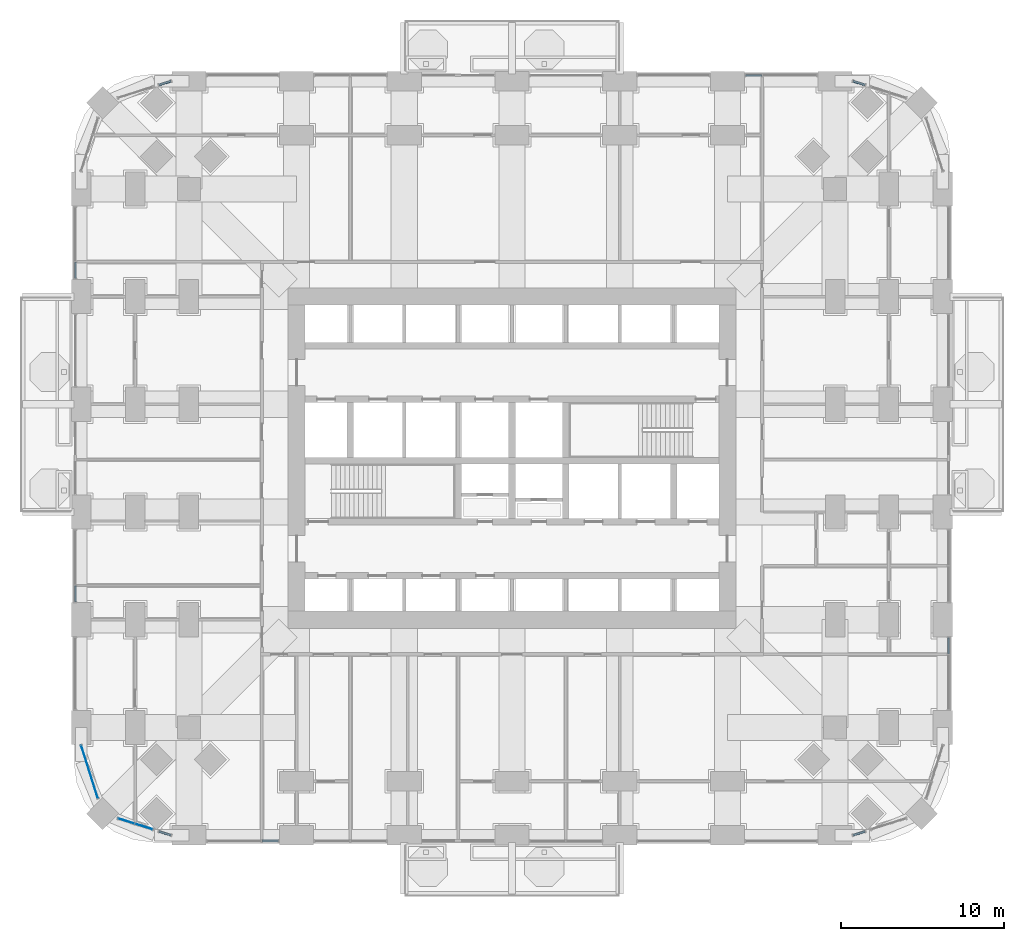
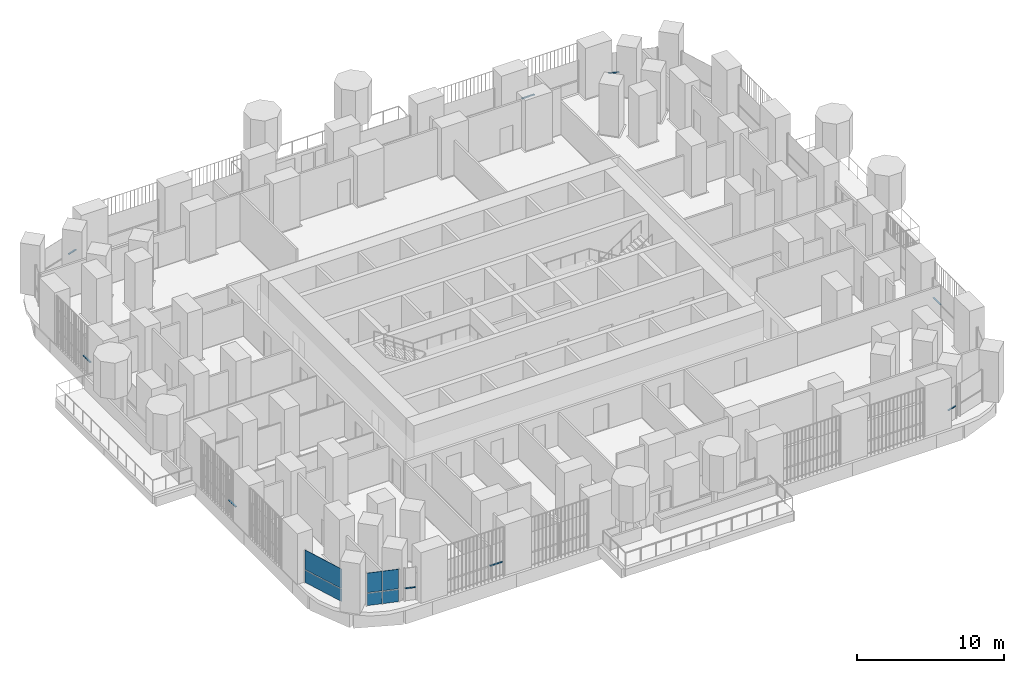
# One storey, part 10 of 26: 9 members, 6 plates, 11 elements without a shape of their own.
"""IFC4 building model written with IfcOpenShell, lengths in metres."""

from ifc_helpers import new_model, si_unit, direction, frame, origin, origin_2d, place, context, subcontext, project, spatial, rectangle, extrude, material, layer, layer_set, material_profile, profile_set, type_object, element, aggregate, save


model = new_model("IFC4")

# Units and contexts
model_context = context("Model", 3, precision=1e-05, world=origin(), true_north=direction((0.0, 1.0)))
body_context = subcontext(model_context, "Body", "Model", "MODEL_VIEW")
ifc_project = project(units=[si_unit("LENGTHUNIT", "METRE"), si_unit("AREAUNIT", "SQUARE_METRE"), si_unit("VOLUMEUNIT", "CUBIC_METRE"), si_unit("PLANEANGLEUNIT", "RADIAN"), si_unit("MASSUNIT", "GRAM", prefix="KILO")], contexts=[model_context])

# Site, building, storey
site_placement = place(None, origin())
site = spatial("IfcSite", under=ifc_project, at=site_placement, CompositionType="ELEMENT")
building_placement = place(site_placement, origin())
building = spatial("IfcBuilding", under=site, at=building_placement, Name="Cobogo Forest Laboratory Tower", CompositionType="ELEMENT")
storey_placement = place(building_placement, frame((0.0, 0.0, 59.10009765625)))
storey = spatial("IfcBuildingStorey", under=building, at=storey_placement, Name="L13", CompositionType="ELEMENT", Elevation=59.10009765625)

# Curtain wall, member
ifc_material_1 = material(Name="Aluminium curtain wall", Category="aluminium")
curtain_wall_type = type_object("IfcCurtainWallType", Name="CW-1 unitised curtain wall, clear glazing, laboratory floors zones A and B", PredefinedType="USERDEFINED", material=ifc_material_1)
curtain_wall_1_placement = place(storey_placement, origin())
curtain_wall_1 = element("IfcCurtainWall", 1, at=curtain_wall_1_placement, inside=storey, type_object=curtain_wall_type, Name="Curtain wall 01 L13", ObjectType="UNITISED CURTAIN WALL", PredefinedType="USERDEFINED")
ifc_material_2 = material(Name="Aluminium transom", Category="aluminium")
ifc_material_profile = material_profile(ifc_material_2, rectangle(XDim=0.1201171875, YDim=0.06005859375, at=origin_2d()), Name="AL 60x120")
ifc_profile_set = profile_set([ifc_material_profile], Name="Aluminium transom")
member_type = type_object("IfcMemberType", Name="TR-1 aluminium transom 60x120", PredefinedType="USERDEFINED", material=ifc_profile_set)
member_1_placement = place(storey_placement, frame((11.10498046875, -0.35009765625, 1.0498046875), z_axis=(1.0, 0.0, 0.0), x_axis=(0.0, 1.0, 0.0)))
member_1 = element("IfcMember", 2, at=member_1_placement, type_object=member_type, Name="CW-1 transom 2.1", ObjectType="TRANSOM", PredefinedType="USERDEFINED", context=body_context, shape_type="SweptSolid", body=[
    extrude(rectangle(XDim=0.1201171875, YDim=0.06005859375, at=origin_2d()), origin(), (0.0, 0.0, 1.0), 0.985107421875),
])
aggregate(curtain_wall_1, [member_1])

curtain_wall_2_placement = place(storey_placement, origin())
curtain_wall_2 = element("IfcCurtainWall", 3, at=curtain_wall_2_placement, inside=storey, type_object=curtain_wall_type, Name="Curtain wall 07 L13", ObjectType="UNITISED CURTAIN WALL", PredefinedType="USERDEFINED")
member_2_placement = place(storey_placement, frame((47.30712890625, -0.000244140625, 1.0498046875), z_axis=(0.95359247203, 0.301100311005, 0.0), x_axis=(-0.301100311005, 0.95359247203, 0.0)))
member_2 = element("IfcMember", 4, at=member_2_placement, type_object=member_type, Name="CW-1 transom 1.1", ObjectType="TRANSOM", PredefinedType="USERDEFINED", context=body_context, shape_type="SweptSolid", body=[
    extrude(rectangle(XDim=0.1201171875, YDim=0.06005859375, at=origin_2d()), origin(), (0.0, 0.0, 1.0), 0.75244140625),
])
aggregate(curtain_wall_2, [member_2])

curtain_wall_3_placement = place(storey_placement, origin())
curtain_wall_3 = element("IfcCurtainWall", 5, at=curtain_wall_3_placement, inside=storey, type_object=curtain_wall_type, Name="Curtain wall 10 L13", ObjectType="UNITISED CURTAIN WALL", PredefinedType="USERDEFINED")
member_3_placement = place(storey_placement, frame((53.14990234375, 11.10498046875, 1.0498046875), z_axis=(0.0, 1.0, 0.0), x_axis=(-1.0, 0.0, 0.0)))
member_3 = element("IfcMember", 6, at=member_3_placement, type_object=member_type, Name="CW-1 transom 2.1", ObjectType="TRANSOM", PredefinedType="USERDEFINED", context=body_context, shape_type="SweptSolid", body=[
    extrude(rectangle(XDim=0.1201171875, YDim=0.06005859375, at=origin_2d()), origin(), (0.0, 0.0, 1.0), 0.985107421875),
])
aggregate(curtain_wall_3, [member_3])

curtain_wall_4_placement = place(storey_placement, origin())
curtain_wall_4 = element("IfcCurtainWall", 7, at=curtain_wall_4_placement, inside=storey, type_object=curtain_wall_type, Name="Curtain wall 17 L13", ObjectType="UNITISED CURTAIN WALL", PredefinedType="USERDEFINED")
member_4_placement = place(storey_placement, frame((48.024658203125, 45.973876953125, 1.0498046875), z_axis=(-0.95359247203, 0.301100311005, 0.0), x_axis=(-0.301100311005, -0.95359247203, 0.0)))
member_4 = element("IfcMember", 8, at=member_4_placement, type_object=member_type, Name="CW-1 transom 1.1", ObjectType="TRANSOM", PredefinedType="USERDEFINED", context=body_context, shape_type="SweptSolid", body=[
    extrude(rectangle(XDim=0.1201171875, YDim=0.06005859375, at=origin_2d()), origin(), (0.0, 0.0, 1.0), 0.75244140625),
])
aggregate(curtain_wall_4, [member_4])

curtain_wall_5_placement = place(storey_placement, origin())
curtain_wall_5 = element("IfcCurtainWall", 9, at=curtain_wall_5_placement, inside=storey, type_object=curtain_wall_type, Name="Curtain wall 18 L13", ObjectType="UNITISED CURTAIN WALL", PredefinedType="USERDEFINED")
member_5_placement = place(storey_placement, frame((41.695068359375, 46.550048828125, 1.0498046875), z_axis=(-1.0, 0.0, 0.0), x_axis=(0.0, -1.0, 0.0)))
member_5 = element("IfcMember", 10, at=member_5_placement, type_object=member_type, Name="CW-1 transom 2.1", ObjectType="TRANSOM", PredefinedType="USERDEFINED", context=body_context, shape_type="SweptSolid", body=[
    extrude(rectangle(XDim=0.1201171875, YDim=0.06005859375, at=origin_2d()), origin(), (0.0, 0.0, 1.0), 0.985107421875),
])
aggregate(curtain_wall_5, [member_5])

curtain_wall_6_placement = place(storey_placement, origin())
curtain_wall_6 = element("IfcCurtainWall", 11, at=curtain_wall_6_placement, inside=storey, type_object=curtain_wall_type, Name="Curtain wall 24 L13", ObjectType="UNITISED CURTAIN WALL", PredefinedType="USERDEFINED")
member_6_placement = place(storey_placement, frame((5.49267578125, 46.200439453125, 1.0498046875), z_axis=(-0.953563042236, -0.301193500066, 0.0), x_axis=(0.301193500066, -0.953563042236, 0.0)))
member_6 = element("IfcMember", 12, at=member_6_placement, type_object=member_type, Name="CW-1 transom 1.1", ObjectType="TRANSOM", PredefinedType="USERDEFINED", context=body_context, shape_type="SweptSolid", body=[
    extrude(rectangle(XDim=0.1201171875, YDim=0.06005859375, at=origin_2d()), origin(), (0.0, 0.0, 1.0), 0.752197265625),
])
aggregate(curtain_wall_6, [member_6])

curtain_wall_7_placement = place(storey_placement, origin())
curtain_wall_7 = element("IfcCurtainWall", 13, at=curtain_wall_7_placement, inside=storey, type_object=curtain_wall_type, Name="Curtain wall 27 L13", ObjectType="UNITISED CURTAIN WALL", PredefinedType="USERDEFINED")
member_7_placement = place(storey_placement, frame((-0.35009765625, 35.094970703125, 1.0498046875), z_axis=(0.0, -1.0, 0.0), x_axis=(1.0, 0.0, 0.0)))
member_7 = element("IfcMember", 14, at=member_7_placement, type_object=member_type, Name="CW-1 transom 2.1", ObjectType="TRANSOM", PredefinedType="USERDEFINED", context=body_context, shape_type="SweptSolid", body=[
    extrude(rectangle(XDim=0.1201171875, YDim=0.06005859375, at=origin_2d()), origin(), (0.0, 0.0, 1.0), 0.98486328125),
])
aggregate(curtain_wall_7, [member_7])

curtain_wall_8_placement = place(storey_placement, origin())
curtain_wall_8 = element("IfcCurtainWall", 15, at=curtain_wall_8_placement, inside=storey, type_object=curtain_wall_type, Name="Curtain wall 30 L13", ObjectType="UNITISED CURTAIN WALL", PredefinedType="USERDEFINED")
member_8_placement = place(storey_placement, frame((-0.35009765625, 15.27001953125, 1.0498046875), z_axis=(0.0, -1.0, 0.0), x_axis=(1.0, 0.0, 0.0)))
member_8 = element("IfcMember", 16, at=member_8_placement, type_object=member_type, Name="CW-1 transom 2.1", ObjectType="TRANSOM", PredefinedType="USERDEFINED", context=body_context, shape_type="SweptSolid", body=[
    extrude(rectangle(XDim=0.1201171875, YDim=0.06005859375, at=origin_2d()), origin(), (0.0, 0.0, 1.0), 0.9599609375),
])
aggregate(curtain_wall_8, [member_8])

curtain_wall_9_placement = place(storey_placement, origin())
curtain_wall_9 = element("IfcCurtainWall", 17, at=curtain_wall_9_placement, inside=storey, type_object=curtain_wall_type, Name="Curtain wall 34 L13", ObjectType="UNITISED CURTAIN WALL", PredefinedType="USERDEFINED")
member_9_placement = place(storey_placement, frame((4.775390625, 0.226318359375, 1.0498046875), z_axis=(0.953563042236, -0.301193500066, 0.0), x_axis=(0.301193500066, 0.953563042236, 0.0)))
member_9 = element("IfcMember", 18, at=member_9_placement, type_object=member_type, Name="CW-1 transom 1.1", ObjectType="TRANSOM", PredefinedType="USERDEFINED", context=body_context, shape_type="SweptSolid", body=[
    extrude(rectangle(XDim=0.1201171875, YDim=0.06005859375, at=origin_2d()), origin(), (0.0, 0.0, 1.0), 0.752197265625),
])
aggregate(curtain_wall_9, [member_9])

# Curtain wall, plates
curtain_wall_10_placement = place(storey_placement, origin())
curtain_wall_10 = element("IfcCurtainWall", 19, at=curtain_wall_10_placement, inside=storey, type_object=curtain_wall_type, Name="Curtain wall 32 L13", ObjectType="UNITISED CURTAIN WALL", PredefinedType="USERDEFINED")
ifc_material_3 = material(Name="Clear insulated glass", Category="glass")
ifc_layer = layer(ifc_material_3, 0.028076171875)
ifc_layer_set = layer_set([ifc_layer], Name="GP-1 clear insulated glass unit 28")
plate_type = type_object("IfcPlateType", Name="GP-1 clear insulated glass unit 28", PredefinedType="CURTAIN_PANEL", material=ifc_layer_set)
plate_1_placement = place(storey_placement, frame((0.509033203125, 3.880126953125, 0.0), z_axis=(0.0, 0.0, 1.0), x_axis=(0.30113535792, -0.95358140513, 0.0)))
plate_1 = element("IfcPlate", 20, at=plate_1_placement, type_object=plate_type, Name="CW-1 panel 1.1", PredefinedType="CURTAIN_PANEL", context=body_context, shape_type="SweptSolid", body=[
    extrude(rectangle(XDim=3.382568359375, YDim=0.028076171875, at=origin_2d()), origin(), (0.0, 0.0, 1.0), 1.02001953125),
])
plate_2_placement = place(storey_placement, frame((0.509033203125, 3.880126953125, 1.079833984375), z_axis=(0.0, 0.0, 1.0), x_axis=(0.30113535792, -0.95358140513, 0.0)))
plate_2 = element("IfcPlate", 21, at=plate_2_placement, type_object=plate_type, Name="CW-1 panel 1.2", PredefinedType="CURTAIN_PANEL", context=body_context, shape_type="SweptSolid", body=[
    extrude(rectangle(XDim=3.382568359375, YDim=0.028076171875, at=origin_2d()), origin(), (0.0, 0.0, 1.0), 1.6201171875),
])
aggregate(curtain_wall_10, [plate_1, plate_2])

curtain_wall_11_placement = place(storey_placement, origin())
curtain_wall_11 = element("IfcCurtainWall", 22, at=curtain_wall_11_placement, inside=storey, type_object=curtain_wall_type, Name="Curtain wall 33 L13", ObjectType="UNITISED CURTAIN WALL", PredefinedType="USERDEFINED")
plate_3_placement = place(storey_placement, frame((2.75732421875, 0.863525390625, 0.0), z_axis=(0.0, 0.0, 1.0), x_axis=(0.953581409645, -0.301135343623, 0.0)))
plate_3 = element("IfcPlate", 23, at=plate_3_placement, type_object=plate_type, Name="CW-1 panel 1.1", PredefinedType="CURTAIN_PANEL", context=body_context, shape_type="SweptSolid", body=[
    extrude(rectangle(XDim=1.027587890625, YDim=0.028076171875, at=origin_2d()), origin(), (0.0, 0.0, 1.0), 1.02001953125),
])
plate_4_placement = place(storey_placement, frame((2.75732421875, 0.863525390625, 1.079833984375), z_axis=(0.0, 0.0, 1.0), x_axis=(0.953581409645, -0.301135343623, 0.0)))
plate_4 = element("IfcPlate", 24, at=plate_4_placement, type_object=plate_type, Name="CW-1 panel 1.2", PredefinedType="CURTAIN_PANEL", context=body_context, shape_type="SweptSolid", body=[
    extrude(rectangle(XDim=1.027587890625, YDim=0.028076171875, at=origin_2d()), origin(), (0.0, 0.0, 1.0), 1.6201171875),
])
plate_5_placement = place(storey_placement, frame((3.83642578125, 0.522705078125, 0.0), z_axis=(0.0, 0.0, 1.0), x_axis=(0.953581409645, -0.301135343623, 0.0)))
plate_5 = element("IfcPlate", 25, at=plate_5_placement, type_object=plate_type, Name="CW-1 panel 2.1", PredefinedType="CURTAIN_PANEL", context=body_context, shape_type="SweptSolid", body=[
    extrude(rectangle(XDim=1.11572265625, YDim=0.028076171875, at=origin_2d()), origin(), (0.0, 0.0, 1.0), 1.02001953125),
])
plate_6_placement = place(storey_placement, frame((3.83642578125, 0.522705078125, 1.079833984375), z_axis=(0.0, 0.0, 1.0), x_axis=(0.953581409645, -0.301135343623, 0.0)))
plate_6 = element("IfcPlate", 26, at=plate_6_placement, type_object=plate_type, Name="CW-1 panel 2.2", PredefinedType="CURTAIN_PANEL", context=body_context, shape_type="SweptSolid", body=[
    extrude(rectangle(XDim=1.11572265625, YDim=0.028076171875, at=origin_2d()), origin(), (0.0, 0.0, 1.0), 1.6201171875),
])
aggregate(curtain_wall_11, [plate_3, plate_4, plate_5, plate_6])

save(model, "model.ifc")
